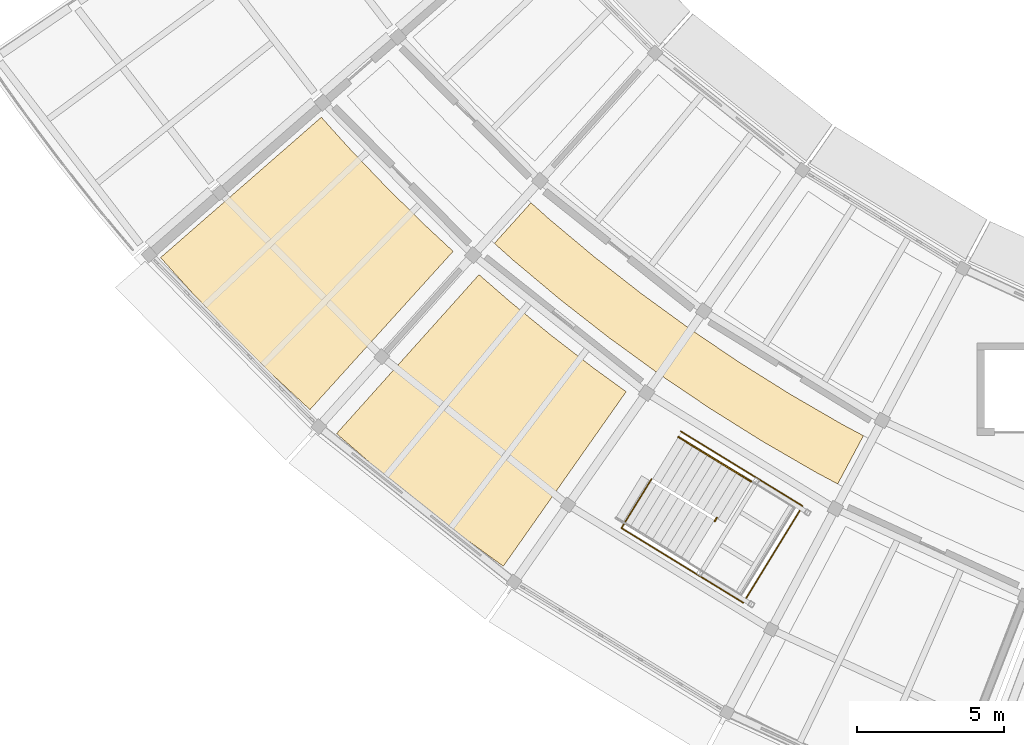
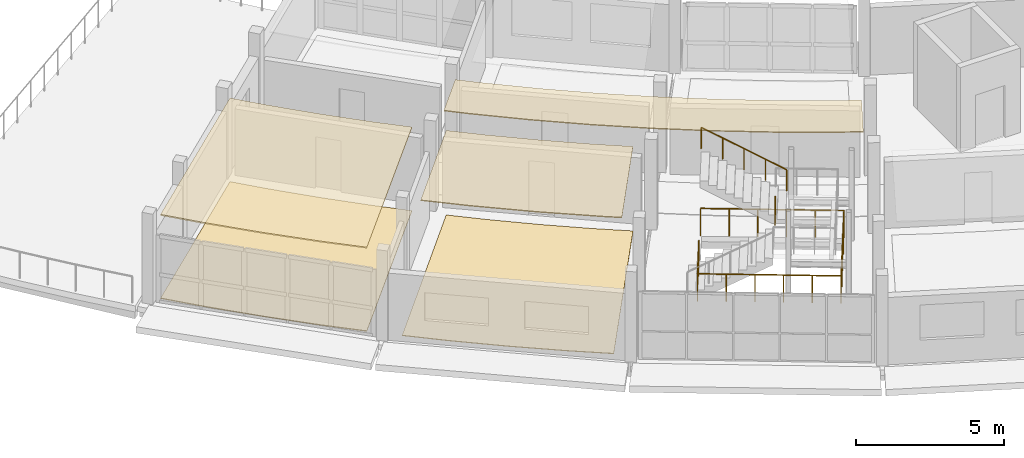
# One storey, part 61 of 66: 5 coverings, 3 railings.
"""IFC4 building model written with IfcOpenShell, lengths in metres."""

import ifcopenshell
import ifcopenshell.guid

model = None  # the IFC model being written
_history = None  # IfcOwnerHistory: only IFC2X3 demands one
_inside = {}  # id of a spatial element -> (the spatial element, [elements in it])
_under = {}  # id of a project, library or spatial element -> (it, [spatial elements below it])
_declared = {}  # id of a project -> (the project, [libraries it declares])
_typed = {}  # id of a type object -> (the type object, [elements of that type])
_made_of = {}  # id of a material, layer set ... -> (it, [elements and type objects made of it])


def new_model(schema):
    """Start an empty IFC model of exactly this schema.

    Asked for "IFC4X3", IfcOpenShell would pick the latest addendum, in which some entities
    have other attributes; the version numbers below select the first issue.
    IFC2X3 requires an IfcOwnerHistory on every rooted entity: one is made here for all.
    """
    global model, _history
    if schema == "IFC4X3":
        model = ifcopenshell.file(schema_version=(4, 3, 0, 0))
    else:
        model = ifcopenshell.file(schema=schema)
    _inside.clear()
    _under.clear()
    _declared.clear()
    _typed.clear()
    _made_of.clear()
    _history = None
    if model.schema == "IFC2X3":
        org = make("IfcOrganization", Name="unknown")
        user = make(
            "IfcPersonAndOrganization",
            ThePerson=make("IfcPerson", FamilyName="unknown"),
            TheOrganization=org,
        )
        app = make(
            "IfcApplication",
            ApplicationDeveloper=org,
            Version="unknown",
            ApplicationFullName="unknown",
            ApplicationIdentifier="unknown",
        )
        _history = make(
            "IfcOwnerHistory",
            OwningUser=user,
            OwningApplication=app,
            ChangeAction="ADDED",
            CreationDate=0,
        )
    return model


def make(cls, **values):
    """One entity of the class cls with the attributes given. An attribute that is None is left unset."""
    return model.create_entity(
        cls, **{name: value for name, value in values.items() if value is not None}
    )


def rooted(cls, **values):
    """An entity with a GlobalId (a new one), such as an element, a storey or a relation."""
    return make(cls, GlobalId=ifcopenshell.guid.new(), OwnerHistory=_history, **values)


def si_unit(unit_type, name, prefix=None):
    """IfcSIUnit, for example si_unit("LENGTHUNIT", "METRE", prefix="MILLI")."""
    return make("IfcSIUnit", UnitType=unit_type, Prefix=prefix, Name=name)


def assignment(units):
    """IfcUnitAssignment: the units of a project."""
    return None if units is None else make("IfcUnitAssignment", Units=units)


def point(xyz):
    """IfcCartesianPoint."""
    return None if xyz is None else make("IfcCartesianPoint", Coordinates=xyz)


def direction(xyz):
    """IfcDirection."""
    return None if xyz is None else make("IfcDirection", DirectionRatios=xyz)


def frame(location, z_axis=None, x_axis=None):
    """IfcAxis2Placement3D, a coordinate frame: its origin and axes. An axis left out is left unset."""
    return make(
        "IfcAxis2Placement3D",
        Location=point(location),
        Axis=direction(z_axis),
        RefDirection=direction(x_axis),
    )


def frame_2d(location, x_axis=None):
    """IfcAxis2Placement2D, a coordinate frame in the plane: its origin and x axis."""
    return make(
        "IfcAxis2Placement2D", Location=point(location), RefDirection=direction(x_axis)
    )


def origin():
    """The frame at (0, 0, 0) with its axes left unset."""
    return frame((0.0, 0.0, 0.0))


def origin_2d():
    """The frame at (0, 0) in the plane with its x axis left unset."""
    return frame_2d((0.0, 0.0))


def place(relative_to, where):
    """IfcLocalPlacement: puts the frame where relative to a parent placement (None: the world)."""
    return make(
        "IfcLocalPlacement", PlacementRelTo=relative_to, RelativePlacement=where
    )


def context(
    kind, dimensions, precision=None, world=None, true_north=None, identifier=None
):
    """IfcGeometricRepresentationContext, for example the 3D "Model" context."""
    return make(
        "IfcGeometricRepresentationContext",
        ContextIdentifier=identifier,
        ContextType=kind,
        CoordinateSpaceDimension=dimensions,
        Precision=precision,
        WorldCoordinateSystem=world,
        TrueNorth=true_north,
    )


def subcontext(parent, identifier, kind, view, scale=None):
    """IfcGeometricRepresentationSubContext, for example "Body" below "Model"."""
    return make(
        "IfcGeometricRepresentationSubContext",
        ContextIdentifier=identifier,
        ContextType=kind,
        ParentContext=parent,
        TargetScale=scale,
        TargetView=view,
    )


def project(units=None, contexts=None):
    """IfcProject with its units and contexts."""
    return rooted(
        "IfcProject",
        Name="project",
        RepresentationContexts=contexts,
        UnitsInContext=assignment(units),
    )


def spatial(cls, under=None, at=None, **own):
    """A site, building, storey or space (cls), placed at a placement, below another one or the project."""
    s = rooted(cls, ObjectPlacement=at, **own)
    if under is not None:
        _under.setdefault(under.id(), (under, []))[1].append(s)
    return s


def polyline(points):
    """IfcPolyline through the points."""
    return make("IfcPolyline", Points=[point(p) for p in points])


def profile(cls, at=None, kind="AREA", **sizes):
    """A parametric profile (cls). Its sizes go by their IFC names, for example OverallWidth=200.0."""
    return make(cls, ProfileType=kind, Position=at, **sizes)


def circle(**sizes):
    """IfcCircleProfileDef."""
    return profile("IfcCircleProfileDef", **sizes)


def outline(outer, holes=None, kind="AREA"):
    """IfcArbitraryClosedProfileDef: a profile drawn as a closed curve; with holes, ...WithVoids."""
    if holes is None:
        return make("IfcArbitraryClosedProfileDef", ProfileType=kind, OuterCurve=outer)
    return make(
        "IfcArbitraryProfileDefWithVoids",
        ProfileType=kind,
        OuterCurve=outer,
        InnerCurves=holes,
    )


def extrude(swept, where, along, depth):
    """IfcExtrudedAreaSolid: the profile swept, set in the frame where, extruded along a direction by depth."""
    return make(
        "IfcExtrudedAreaSolid",
        SweptArea=swept,
        Position=where,
        ExtrudedDirection=direction(along),
        Depth=depth,
    )


def shape(context_of_items, identifier, shape_type, items):
    """IfcShapeRepresentation: the items that make up one representation, for example the "Body"."""
    return make(
        "IfcShapeRepresentation",
        ContextOfItems=context_of_items,
        RepresentationIdentifier=identifier,
        RepresentationType=shape_type,
        Items=items,
    )


def material(Name=None, Category=None):
    """IfcMaterial."""
    return make("IfcMaterial", Name=Name, Category=Category)


def layer(
    of_material, thickness, ventilated=None, Name=None, Category=None, Priority=None
):
    """IfcMaterialLayer: one layer of a wall or slab, of a material (None: an air gap)."""
    return make(
        "IfcMaterialLayer",
        Material=of_material,
        LayerThickness=thickness,
        IsVentilated=ventilated,
        Name=Name,
        Category=Category,
        Priority=Priority,
    )


def layer_set(layers, Name=None):
    """IfcMaterialLayerSet."""
    return make("IfcMaterialLayerSet", MaterialLayers=layers, LayerSetName=Name)


def made_of(thing, what):
    """Note that an element or type object is made of a material, layer set ...; save() writes the relation."""
    if what is not None:
        _made_of.setdefault(what.id(), (what, []))[1].append(thing)
    return thing


def type_object(cls, material=None, **own):
    """A type object (cls), such as IfcWallType, which elements share."""
    return made_of(rooted(cls, **own), material)


def element(
    cls,
    number,
    at=None,
    inside=None,
    cuts=None,
    type_object=None,
    material=None,
    context=None,
    identifier="Body",
    shape_type=None,
    held_by="IfcProductDefinitionShape",
    body=None,
    shapes=None,
    **own,
):
    """One element of the class cls, such as IfcWall. Its Tag is "e" and its number.

    at: its placement. inside: the storey or other place that contains it. cuts: it is an
    opening in that element (IfcRelVoidsElement). A single representation is given by context,
    identifier, shape_type and body (its items); several are given by shapes. held_by: the class
    of the entity that holds the representations. save() writes the other relations.
    """
    e = rooted(cls, Tag="e%d" % number, ObjectPlacement=at, **own)
    if body is not None:
        shapes = [shape(context, identifier, shape_type, body)]
    if shapes is not None:
        e.Representation = make(held_by, Representations=shapes)
    if inside is not None:
        _inside.setdefault(inside.id(), (inside, []))[1].append(e)
    if cuts is not None:
        rooted(
            "IfcRelVoidsElement", RelatingBuildingElement=cuts, RelatedOpeningElement=e
        )
    if type_object is not None:
        _typed.setdefault(type_object.id(), (type_object, []))[1].append(e)
    return made_of(e, material)


def aggregate(whole, parts):
    """IfcRelAggregates: a whole, such as a stair, and the parts it consists of."""
    return rooted("IfcRelAggregates", RelatingObject=whole, RelatedObjects=parts)


def save(model, path):
    """Write the relations noted so far, then the file.

    IfcRelAggregates (storeys below a building ...), IfcRelContainedInSpatialStructure (elements
    in a storey), IfcRelDefinesByType, IfcRelAssociatesMaterial and IfcRelDeclares: one each for
    every whole, place, type object, material and project.
    """
    for whole, parts in _under.values():
        aggregate(whole, parts)
    for where, things in _inside.values():
        rooted(
            "IfcRelContainedInSpatialStructure",
            RelatedElements=things,
            RelatingStructure=where,
        )
    for kind, things in _typed.values():
        rooted("IfcRelDefinesByType", RelatedObjects=things, RelatingType=kind)
    for what, things in _made_of.values():
        rooted("IfcRelAssociatesMaterial", RelatedObjects=things, RelatingMaterial=what)
    for by, libraries in _declared.values():
        rooted("IfcRelDeclares", RelatingContext=by, RelatedDefinitions=libraries)
    model.write(path)


model = new_model("IFC4")

# Units and contexts
model_context = context("Model", 3, precision=1e-05, world=origin(), true_north=direction((0.0, 1.0)))
body_context = subcontext(model_context, "Body", "Model", "MODEL_VIEW")
ifc_project = project(units=[si_unit("LENGTHUNIT", "METRE"), si_unit("AREAUNIT", "SQUARE_METRE"), si_unit("VOLUMEUNIT", "CUBIC_METRE"), si_unit("PLANEANGLEUNIT", "RADIAN"), si_unit("MASSUNIT", "GRAM", prefix="KILO")], contexts=[model_context])

# Site, building, storey
site_placement = place(None, origin())
site = spatial("IfcSite", under=ifc_project, at=site_placement, CompositionType="ELEMENT")
building_placement = place(site_placement, origin())
building = spatial("IfcBuilding", under=site, at=building_placement, Name="Caldaven Crescent School", CompositionType="ELEMENT")
storey_placement = place(building_placement, frame((0.0, 0.0, 8.159912109375)))
storey = spatial("IfcBuildingStorey", under=building, at=storey_placement, Name="L02", CompositionType="ELEMENT", Elevation=8.159912109375)

# Coverings
ifc_material_1 = material(Name="Perforated Pino Radiata acoustic timber baffle ceiling", Category="wood")
ifc_layer_1 = layer(ifc_material_1, 0.0380859375)
ifc_layer_set_1 = layer_set([ifc_layer_1], Name="Perforated Pino Radiata acoustic timber baffle ceiling")
covering_type_1 = type_object("IfcCoveringType", Name="COV-CLG2", PredefinedType="CEILING", material=ifc_layer_set_1)
covering_1_placement = place(storey_placement, frame((0.0, 0.0, 3.482177734375)))
element("IfcCovering", 1, at=covering_1_placement, inside=storey, type_object=covering_type_1, Name="CLG-L02-141", PredefinedType="CEILING", context=body_context, shape_type="SweptSolid", body=[
    extrude(outline(polyline([(49.281494140625, 51.388916015625), (49.293212890625, 51.37890625), (50.838623046875, 50.083984375), (50.8505859375, 50.07421875), (52.439697265625, 48.8330078125), (52.4521484375, 48.82373046875), (54.082763671875, 47.637939453125), (54.095458984375, 47.629150390625), (55.76611328125, 46.500244140625), (55.779052734375, 46.49169921875), (57.4873046875, 45.4208984375), (57.500732421875, 45.412841796875), (59.2451171875, 44.401611328125), (59.258544921875, 44.39404296875), (59.98779296875, 44.00390625), (59.11279296875, 42.363037109375), (58.346435546875, 42.77294921875), (56.533447265625, 43.82421875), (54.7578125, 44.937255859375), (53.021484375, 46.110595703125), (51.326416015625, 47.343017578125), (49.6748046875, 48.633056640625), (48.068359375, 49.97900390625), (47.436767578125, 50.54638671875), (48.6806640625, 51.9287109375), (49.281494140625, 51.388916015625)])), origin(), (0.0, 0.0, 1.0), 0.037841796875),
])
covering_2_placement = place(storey_placement, frame((0.0, 0.0, 3.482177734375)))
element("IfcCovering", 2, at=covering_2_placement, inside=storey, type_object=covering_type_1, Name="CLG-L02-145", PredefinedType="CEILING", context=body_context, shape_type="SweptSolid", body=[
    extrude(outline(polyline([(47.9443359375, 48.58447265625), (47.95458984375, 48.575927734375), (49.355224609375, 47.427734375), (49.36572265625, 47.41943359375), (50.7998046875, 46.312744140625), (50.810302734375, 46.304931640625), (51.917236328125, 45.50146484375), (49.501708984375, 42.068603515625), (49.029296875, 42.399658203125), (47.194091796875, 43.783203125), (45.40771484375, 45.229736328125), (44.111083984375, 46.356689453125), (46.91259765625, 49.482421875), (47.9443359375, 48.58447265625)])), origin(), (0.0, 0.0, 1.0), 0.037841796875),
])
ifc_layer_2 = layer(ifc_material_1, 0.053955078125)
ifc_layer_set_2 = layer_set([ifc_layer_2], Name="Perforated Pino Radiata acoustic timber baffle ceiling")
covering_type_2 = type_object("IfcCoveringType", Name="COV-CLG4", PredefinedType="CEILING", material=ifc_layer_set_2)
covering_3_placement = place(storey_placement, frame((0.0, 0.0, 3.43603515625)))
element("IfcCovering", 3, at=covering_3_placement, inside=storey, type_object=covering_type_2, Name="CLG-L02-143", PredefinedType="CEILING", context=body_context, shape_type="SweptSolid", body=[
    extrude(outline(polyline([(42.464599609375, 53.8193359375), (42.473388671875, 53.809814453125), (43.723876953125, 52.499267578125), (43.733154296875, 52.489990234375), (45.021484375, 51.216796875), (45.03125, 51.20751953125), (46.031982421875, 50.275146484375), (41.161865234375, 44.89111328125), (40.0, 45.973388671875), (38.55029296875, 47.406005859375), (37.1435546875, 48.88037109375), (36.08154296875, 50.060791015625), (41.5498046875, 54.83642578125), (42.464599609375, 53.8193359375)])), origin(), (0.0, 0.0, 1.0), 0.053955078125),
])
ifc_material_2 = material(Name="Polished terrazzo and acoustic linoleum flooring")
ifc_layer_3 = layer(ifc_material_2, 0.02587890625)
ifc_layer_set_3 = layer_set([ifc_layer_3], Name="Polished terrazzo and acoustic linoleum flooring")
covering_type_3 = type_object("IfcCoveringType", Name="COV-FLR2", PredefinedType="FLOORING", material=ifc_layer_set_3)
covering_4_placement = place(storey_placement, origin())
element("IfcCovering", 4, at=covering_4_placement, inside=storey, type_object=covering_type_3, Name="FLR-L02-145", PredefinedType="FLOORING", context=body_context, shape_type="SweptSolid", body=[
    extrude(outline(polyline([(46.91259765625, 49.482421875), (47.9443359375, 48.58447265625), (47.95458984375, 48.575927734375), (49.355224609375, 47.427734375), (49.36572265625, 47.41943359375), (50.7998046875, 46.312744140625), (50.810302734375, 46.304931640625), (51.917236328125, 45.50146484375), (47.739501953125, 39.56396484375), (46.45458984375, 40.496826171875), (44.841064453125, 41.74169921875), (43.264892578125, 43.03369140625), (42.067138671875, 44.075927734375), (46.91259765625, 49.482421875)])), origin(), (0.0, 0.0, 1.0), 0.026123046875),
])
ifc_layer_4 = layer(ifc_material_2, 0.031982421875)
ifc_layer_set_4 = layer_set([ifc_layer_4], Name="Polished terrazzo and acoustic linoleum flooring")
covering_type_4 = type_object("IfcCoveringType", Name="COV-FLR3", PredefinedType="FLOORING", material=ifc_layer_set_4)
covering_5_placement = place(storey_placement, origin())
element("IfcCovering", 5, at=covering_5_placement, inside=storey, type_object=covering_type_4, Name="FLR-L02-143", PredefinedType="FLOORING", context=body_context, shape_type="SweptSolid", body=[
    extrude(outline(polyline([(41.5498046875, 54.83642578125), (42.464599609375, 53.8193359375), (42.473388671875, 53.809814453125), (43.723876953125, 52.499267578125), (43.733154296875, 52.489990234375), (45.021484375, 51.216796875), (45.03125, 51.20751953125), (46.031982421875, 50.275146484375), (41.161865234375, 44.89111328125), (40.0, 45.973388671875), (38.55029296875, 47.406005859375), (37.1435546875, 48.88037109375), (36.08154296875, 50.060791015625), (41.5498046875, 54.83642578125)])), origin(), (0.0, 0.0, 1.0), 0.031982421875),
])

# Railings
ifc_material_3 = material(Name="Brushed stainless-steel continuous tubular handrail", Category="steel")
railing_type_1 = type_object("IfcRailingType", Name="RAL-HR2", PredefinedType="HANDRAIL", material=ifc_material_3)
railing_1_placement = place(storey_placement, frame((56.167236328125, 42.44580078125, 2.04296875)))
element("IfcRailing", 6, at=railing_1_placement, inside=storey, type_object=railing_type_1, Name="HR-ST1-L02-F2", PredefinedType="HANDRAIL", context=body_context, shape_type="SweptSolid", body=[
    extrude(circle(Radius=0.02392578125, at=origin_2d()), frame((0.0, 0.0, 0.8759765625), z_axis=(-0.735535977415, 0.450777232604, 0.505753608483), x_axis=(-0.522532446618, -0.852619400572, 0.0)), (0.0, 0.0, 1.0), 3.36181640625),
    extrude(circle(Radius=0.02099609375, at=origin_2d()), origin(), (0.0, 0.0, 1.0), 0.851806640625),
    extrude(circle(Radius=0.02099609375, at=origin_2d()), frame((-0.6181640625, 0.37890625, 0.425048828125)), (0.0, 0.0, 1.0), 0.851806640625),
    extrude(circle(Radius=0.02099609375, at=origin_2d()), frame((-1.236328125, 0.7578125, 0.85009765625)), (0.0, 0.0, 1.0), 0.851806640625),
    extrude(circle(Radius=0.02099609375, at=origin_2d()), frame((-1.8544921875, 1.136474609375, 1.275146484375)), (0.0, 0.0, 1.0), 0.851806640625),
    extrude(circle(Radius=0.02099609375, at=origin_2d()), frame((-2.47265625, 1.515380859375, 1.7001953125)), (0.0, 0.0, 1.0), 0.851806640625),
])
ifc_material_4 = material(Name="Powder-coated tubular steel balustrade ASTM A572 Grade 50", Category="steel")
railing_type_2 = type_object("IfcRailingType", Name="RAL-INT2", PredefinedType="BALUSTRADE", material=ifc_material_4)
railing_2_placement = place(storey_placement, frame((54.930908203125, 41.098388671875, 1.8701171875)))
element("IfcRailing", 7, at=railing_2_placement, inside=storey, type_object=railing_type_2, Name="GD-SLT-ST1-L02", PredefinedType="BALUSTRADE", context=body_context, shape_type="SweptSolid", body=[
    extrude(circle(Radius=0.02392578125, at=origin_2d()), frame((0.0, 0.0, 1.09619140625), z_axis=(0.522439134351, 0.85267658048, 0.0), x_axis=(-0.85267658048, 0.522439134351, 0.0)), (0.0, 0.0, 1.0), 0.1396484375),
    extrude(circle(Radius=0.02099609375, at=origin_2d()), origin(), (0.0, 0.0, 1.0), 1.072021484375),
    extrude(circle(Radius=0.02099609375, at=origin_2d()), frame((0.072998046875, 0.119140625, 0.0)), (0.0, 0.0, 1.0), 1.072021484375),
])
railing_type_3 = type_object("IfcRailingType", Name="RAL-INT3", PredefinedType="BALUSTRADE", material=ifc_material_4)
railing_3_placement = place(storey_placement, frame((52.7763671875, 42.524169921875, 0.0)))
element("IfcRailing", 8, at=railing_3_placement, inside=storey, type_object=railing_type_3, Name="GD-WELL-ST1-L02", PredefinedType="BALUSTRADE", context=body_context, shape_type="SweptSolid", body=[
    extrude(circle(Radius=0.02392578125, at=origin_2d()), frame((0.0, 0.0, 1.1259765625), z_axis=(-0.522427010479, -0.852684008717, 0.0), x_axis=(0.852684008717, -0.522427010479, 0.0)), (0.0, 0.0, 1.0), 1.9501953125),
    extrude(circle(Radius=0.02392578125, at=origin_2d()), frame((-1.018798828125, -1.662841796875, 1.1259765625), z_axis=(0.852648159218, -0.52248551806, 0.0), x_axis=(0.52248551806, 0.852648159218, 0.0)), (0.0, 0.0, 1.0), 4.86181640625),
    extrude(circle(Radius=0.02392578125, at=origin_2d()), frame((3.126708984375, -4.203125, 1.1259765625), z_axis=(0.522490866343, 0.852644881875, 0.0), x_axis=(-0.852644881875, 0.522490866343, 0.0)), (0.0, 0.0, 1.0), 3.860107421875),
    extrude(circle(Radius=0.02392578125, at=origin_2d()), frame((5.1435546875, -0.911865234375, 1.1259765625), z_axis=(-0.852648159218, 0.52248551806, 0.0), x_axis=(-0.52248551806, -0.852648159218, 0.0)), (0.0, 0.0, 1.0), 4.86181640625),
    extrude(circle(Radius=0.02099609375, at=origin_2d()), origin(), (0.0, 0.0, 1.0), 1.101806640625),
    extrude(circle(Radius=0.02099609375, at=origin_2d()), frame((-0.50927734375, -0.83154296875, 0.0)), (0.0, 0.0, 1.0), 1.101806640625),
    extrude(circle(Radius=0.02099609375, at=origin_2d()), frame((-1.018798828125, -1.662841796875, 0.0)), (0.0, 0.0, 1.0), 1.101806640625),
    extrude(circle(Radius=0.02099609375, at=origin_2d()), frame((-0.189697265625, -2.1708984375, 0.0)), (0.0, 0.0, 1.0), 1.101806640625),
    extrude(circle(Radius=0.02099609375, at=origin_2d()), frame((0.639404296875, -2.678955078125, 0.0)), (0.0, 0.0, 1.0), 1.101806640625),
    extrude(circle(Radius=0.02099609375, at=origin_2d()), frame((1.468505859375, -3.18701171875, 0.0)), (0.0, 0.0, 1.0), 1.101806640625),
    extrude(circle(Radius=0.02099609375, at=origin_2d()), frame((2.297607421875, -3.695068359375, 0.0)), (0.0, 0.0, 1.0), 1.101806640625),
    extrude(circle(Radius=0.02099609375, at=origin_2d()), frame((3.126708984375, -4.203125, 0.0)), (0.0, 0.0, 1.0), 1.101806640625),
    extrude(circle(Radius=0.02099609375, at=origin_2d()), frame((3.630859375, -3.38037109375, 0.0)), (0.0, 0.0, 1.0), 1.101806640625),
    extrude(circle(Radius=0.02099609375, at=origin_2d()), frame((4.13525390625, -2.5576171875, 0.0)), (0.0, 0.0, 1.0), 1.101806640625),
    extrude(circle(Radius=0.02099609375, at=origin_2d()), frame((4.639404296875, -1.734619140625, 0.0)), (0.0, 0.0, 1.0), 1.101806640625),
    extrude(circle(Radius=0.02099609375, at=origin_2d()), frame((5.1435546875, -0.911865234375, 0.0)), (0.0, 0.0, 1.0), 1.101806640625),
    extrude(circle(Radius=0.02099609375, at=origin_2d()), frame((4.314453125, -0.40380859375, 0.0)), (0.0, 0.0, 1.0), 1.101806640625),
    extrude(circle(Radius=0.02099609375, at=origin_2d()), frame((3.4853515625, 0.104248046875, 0.0)), (0.0, 0.0, 1.0), 1.101806640625),
    extrude(circle(Radius=0.02099609375, at=origin_2d()), frame((2.65625, 0.6123046875, 0.0)), (0.0, 0.0, 1.0), 1.101806640625),
    extrude(circle(Radius=0.02099609375, at=origin_2d()), frame((1.8271484375, 1.120361328125, 0.0)), (0.0, 0.0, 1.0), 1.101806640625),
    extrude(circle(Radius=0.02099609375, at=origin_2d()), frame((0.998046875, 1.62841796875, 0.0)), (0.0, 0.0, 1.0), 1.101806640625),
])

save(model, "model.ifc")
